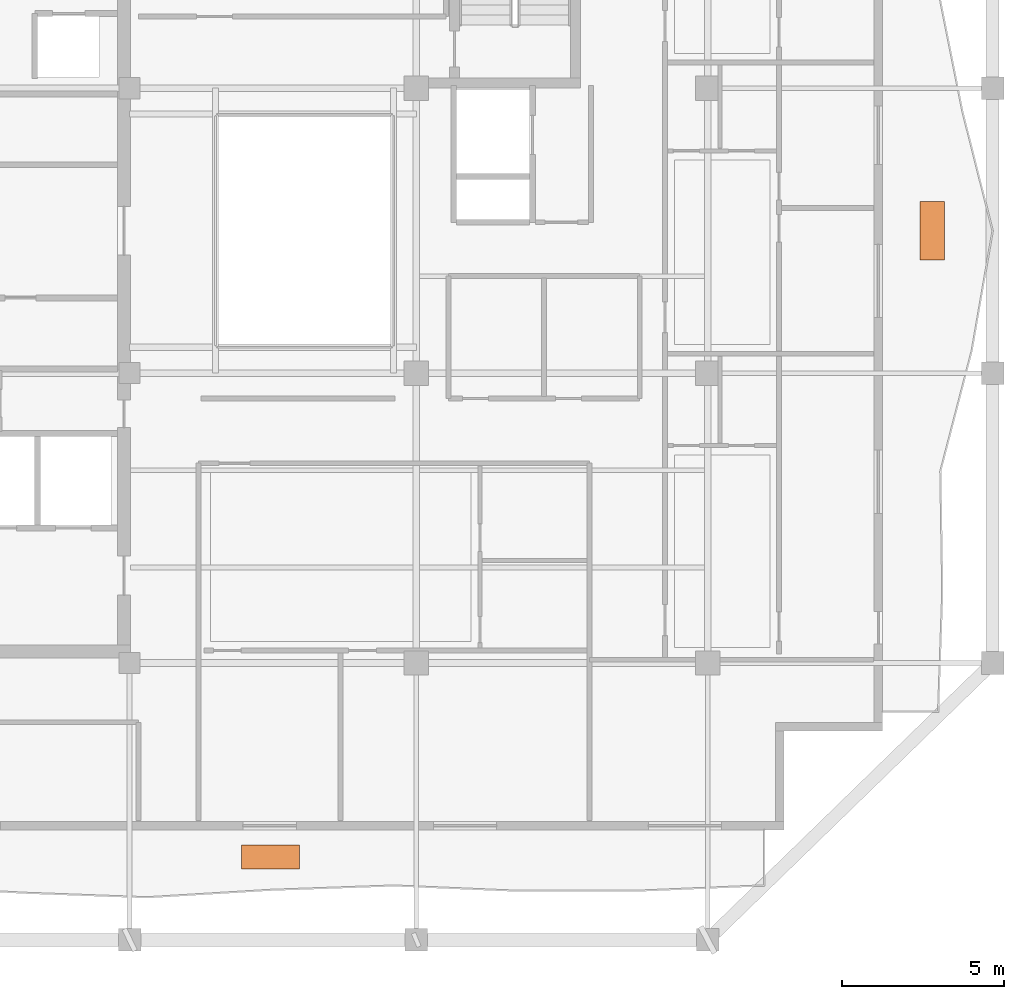
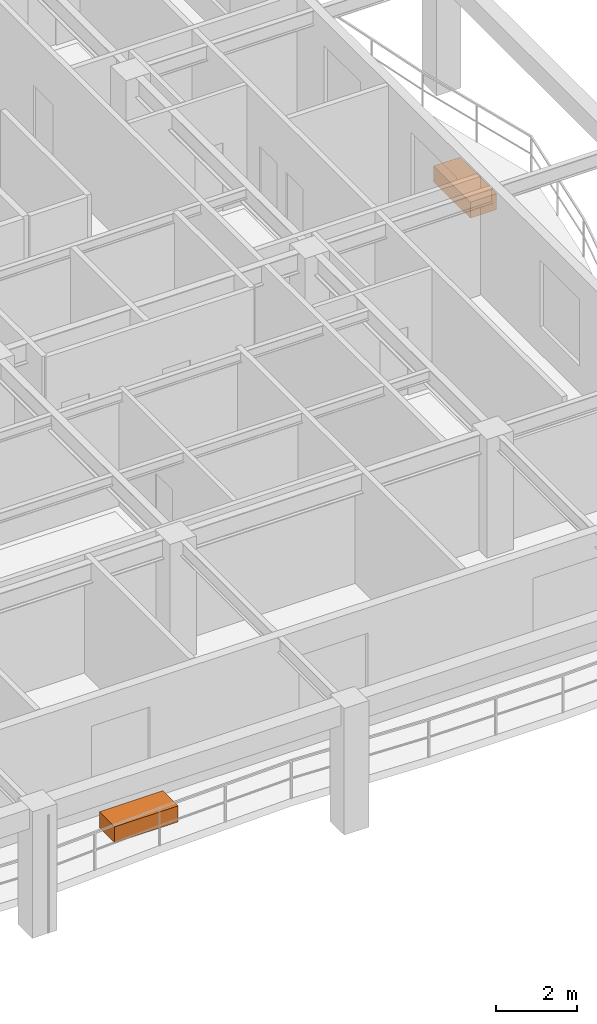
# One storey, part 10 of 10: 2 proxies.
"""IFC4 building model written with IfcOpenShell, lengths in metres."""

from ifc_helpers import new_model, si_unit, direction, frame, origin, origin_2d, place, context, subcontext, project, spatial, rectangle, extrude, material, type_object, element, save


model = new_model("IFC4")

# Units and contexts
model_context = context("Model", 3, precision=1e-05, world=origin(), true_north=direction((0.0, 1.0)))
body_context = subcontext(model_context, "Body", "Model", "MODEL_VIEW")
ifc_project = project(units=[si_unit("LENGTHUNIT", "METRE"), si_unit("AREAUNIT", "SQUARE_METRE"), si_unit("VOLUMEUNIT", "CUBIC_METRE"), si_unit("PLANEANGLEUNIT", "RADIAN"), si_unit("MASSUNIT", "GRAM", prefix="KILO")], contexts=[model_context])

# Site, building, storey
site_placement = place(None, origin())
site = spatial("IfcSite", under=ifc_project, at=site_placement, CompositionType="ELEMENT")
building_placement = place(site_placement, origin())
building = spatial("IfcBuilding", under=site, at=building_placement, Name="Kundavana Baori Tower", CompositionType="ELEMENT")
storey_placement = place(building_placement, frame((0.0, 0.0, 312.5)))
storey = spatial("IfcBuildingStorey", under=building, at=storey_placement, Name="L77", CompositionType="ELEMENT", Elevation=312.5)

# Proxies
ifc_material = material(Name="Red-Buff Dholpur Sandstone Cladding on Concrete C40/50", Category="masonry")
building_element_proxy_type = type_object("IfcBuildingElementProxyType", Name="PRX-PLANTER-1800", PredefinedType="USERDEFINED", material=ifc_material)
for number, where, z_axis, x_axis, name in (
    (1, (29.300048828125, 9.262939453125, 0.0), (0.0, 0.0, 1.0), (1.0, 0.0, 0.0), "L77 Dholpur Stone Structural Tree Planter S"),
    (2, (49.72998046875, 28.60009765625, 0.0), (0.0, 0.0, 1.0), (0.0, 1.0, 0.0), "L77 Dholpur Stone Structural Tree Planter E"),
):
    element("IfcBuildingElementProxy", number, at=place(storey_placement, frame(where, z_axis=z_axis, x_axis=x_axis)), inside=storey, type_object=building_element_proxy_type, Name=name, ObjectType="PLANTER", PredefinedType="USERDEFINED", context=body_context, shape_type="SweptSolid", body=[
        extrude(rectangle(XDim=1.800048828125, YDim=0.75, at=origin_2d()), origin(), (0.0, 0.0, 1.0), 0.47998046875),
    ])

save(model, "model.ifc")
